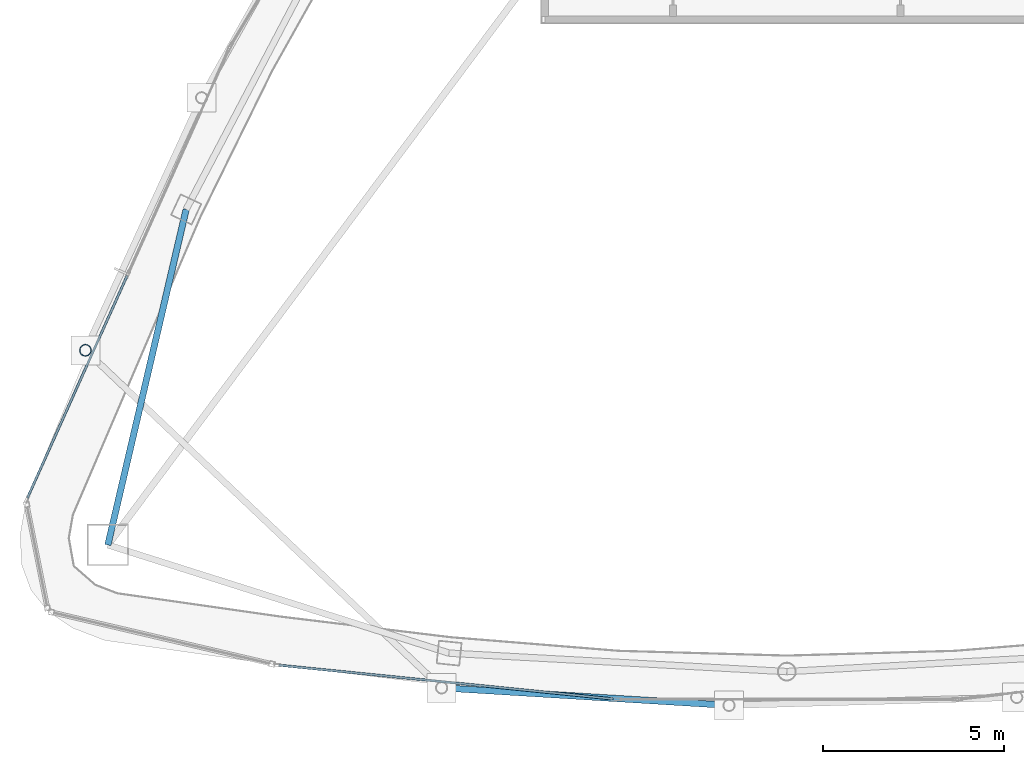
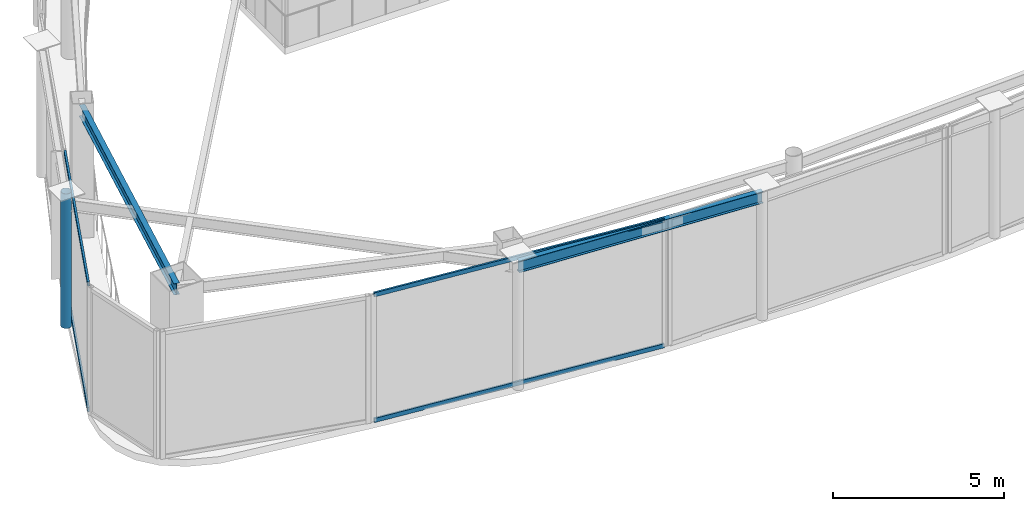
# One storey, part 3 of 19: 5 members, 2 beams, 2 elements without a shape of their own.
"""IFC4 building model written with IfcOpenShell, lengths in metres."""

from ifc_helpers import new_model, si_unit, direction, frame, origin, origin_2d, place, context, subcontext, project, spatial, hollow_rectangle, hollow_circle, i_section, extrude, material, layer, layer_set, material_profile, profile_set, type_object, element, aggregate, save


model = new_model("IFC4")

# Units and contexts
model_context = context("Model", 3, precision=1e-05, world=origin(), true_north=direction((0.0, 1.0)))
body_context = subcontext(model_context, "Body", "Model", "MODEL_VIEW")
ifc_project = project(units=[si_unit("LENGTHUNIT", "METRE"), si_unit("AREAUNIT", "SQUARE_METRE"), si_unit("VOLUMEUNIT", "CUBIC_METRE"), si_unit("PLANEANGLEUNIT", "RADIAN"), si_unit("MASSUNIT", "GRAM", prefix="KILO")], contexts=[model_context])

# Site, building, storey
site_placement = place(None, origin())
site = spatial("IfcSite", under=ifc_project, at=site_placement, CompositionType="ELEMENT")
building_placement = place(site_placement, origin())
building = spatial("IfcBuilding", under=site, at=building_placement, Name="Orvanel Arch Residences", CompositionType="ELEMENT")
storey_placement = place(building_placement, frame((0.0, 0.0, 290.89990234375)))
storey = spatial("IfcBuildingStorey", under=building, at=storey_placement, Name="L82", CompositionType="ELEMENT", Elevation=290.89990234375)

# Beams
ifc_material_1 = material(Name="Structural steel AS/NZS 3679.1 Grade 300 (300 MPa)", Category="steel")
ifc_material_profile_1 = material_profile(ifc_material_1, i_section(OverallWidth=0.177978515625, OverallDepth=0.406005859375, WebThickness=0.0078125, FlangeThickness=0.0126953125, at=origin_2d()), Name="410UB59.7")
ifc_profile_set_1 = profile_set([ifc_material_profile_1], Name="Structural steel AS/NZS 3679.1 Grade 300 (300 MPa)")
beam_type_1 = type_object("IfcBeamType", Name="OB-410UB", PredefinedType="SPANDREL", material=ifc_profile_set_1)
beam_1_placement = place(storey_placement, frame((16.366943359375, 19.64208984375, 4.34716796875), z_axis=(-0.227236087167, -0.973839699688, 0.0), x_axis=(0.973839699688, -0.227236087167, 0.0)))
element("IfcBeam", 1, at=beam_1_placement, inside=storey, type_object=beam_type_1, Name="L82 Perimeter Spandrel Beam 01", PredefinedType="SPANDREL", context=body_context, shape_type="SweptSolid", body=[
    extrude(i_section(OverallWidth=0.177978515625, OverallDepth=0.406005859375, WebThickness=0.0078125, FlangeThickness=0.0126953125, at=origin_2d()), origin(), (0.0, 0.0, 1.0), 9.54052734375),
])
ifc_material_profile_2 = material_profile(ifc_material_1, i_section(OverallWidth=0.177978515625, OverallDepth=0.406005859375, WebThickness=0.0078125, FlangeThickness=0.0126953125, at=origin_2d()), Name="410UB59.7")
ifc_profile_set_2 = profile_set([ifc_material_profile_2], Name="Structural steel AS/NZS 3679.1 Grade 300 (300 MPa)")
beam_type_2 = type_object("IfcBeamType", Name="OB-410UB-EXT", PredefinedType="SPANDREL", material=ifc_profile_set_2)
beam_2_placement = place(storey_placement, frame((23.44189453125, 6.39404296875, 4.34716796875), z_axis=(0.998146745254, -0.060852895889, 0.0), x_axis=(0.060852895889, 0.998146745254, 0.0)))
element("IfcBeam", 2, at=beam_2_placement, inside=storey, type_object=beam_type_2, Name="L82 Outer Perimeter Floor Ring Beam 05", PredefinedType="SPANDREL", context=body_context, shape_type="SweptSolid", body=[
    extrude(i_section(OverallWidth=0.177978515625, OverallDepth=0.406005859375, WebThickness=0.0078125, FlangeThickness=0.0126953125, at=origin_2d()), origin(), (0.0, 0.0, 1.0), 7.971923828125),
])

# Member
ifc_material_2 = material(Name="Structural steel AS/NZS 1163 C350L0 (Grade 350)", Category="steel")
ifc_material_profile_3 = material_profile(ifc_material_2, hollow_circle(Radius=0.162109375, WallThickness=0.0126953125, at=origin_2d()), Name="CHS324x12.7")
ifc_profile_set_3 = profile_set([ifc_material_profile_3], Name="Structural steel AS/NZS 1163 C350L0 (Grade 350)")
member_type_1 = type_object("IfcMemberType", Name="ST-324CHS-EXT", PredefinedType="STRUT", material=ifc_profile_set_3)
member_1_placement = place(storey_placement, frame((13.577880859375, 15.740966796875, 0.0), z_axis=(0.0, 0.0, 1.0), x_axis=(1.0, 0.0, 0.0)))
element("IfcMember", 3, at=member_1_placement, inside=storey, type_object=member_type_1, Name="L82 Outer Perimeter Frame Post 04", PredefinedType="STRUT", context=body_context, shape_type="SweptSolid", body=[
    extrude(hollow_circle(Radius=0.162109375, WallThickness=0.0126953125, at=origin_2d()), origin(), (0.0, 0.0, 1.0), 4.800048828125),
])

# Curtain wall, members
ifc_material_3 = material(Name="Bronze-anodised aluminium AA6063-T6", Category="aluminium")
ifc_layer = layer(ifc_material_3, 0.2099609375)
ifc_layer_set = layer_set([ifc_layer], Name="Bronze-anodised aluminium AA6063-T6")
curtain_wall_type = type_object("IfcCurtainWallType", Name="CW7-TOP-SYS", PredefinedType="NOTDEFINED", material=ifc_layer_set)
curtain_wall_1_placement = place(storey_placement, origin())
curtain_wall_1 = element("IfcCurtainWall", 4, at=curtain_wall_1_placement, inside=storey, type_object=curtain_wall_type, Name="L82 CW7-TOP-SYS Unitised Curtain Wall", PredefinedType="NOTDEFINED")
ifc_material_profile_4 = material_profile(ifc_material_3, hollow_rectangle(XDim=0.06494140625, YDim=0.14990234375, WallThickness=0.00390625, at=origin_2d()), Name="ALU150x65x4")
ifc_profile_set_4 = profile_set([ifc_material_profile_4], Name="Bronze-anodised aluminium AA6063-T6")
member_type_2 = type_object("IfcMemberType", Name="TRN-150x65", PredefinedType="USERDEFINED", material=ifc_profile_set_4)
member_2_placement = place(storey_placement, frame((14.734619140625, 17.811767578125, 0.03271484375), z_axis=(-0.409346580659, -0.912378965618, 0.0), x_axis=(0.912378965618, -0.409346580659, 0.0)))
member_2 = element("IfcMember", 5, at=member_2_placement, type_object=member_type_2, Name="CW-S7 transom 2.1", ObjectType="TRANSOM", PredefinedType="USERDEFINED", context=body_context, shape_type="SweptSolid", body=[
    extrude(hollow_rectangle(XDim=0.06494140625, YDim=0.14990234375, WallThickness=0.00390625, at=origin_2d()), origin(), (0.0, 0.0, 1.0), 6.751953125),
])
member_3_placement = place(storey_placement, frame((14.734619140625, 17.811767578125, 4.517578125), z_axis=(-0.409346580659, -0.912378965618, 0.0), x_axis=(0.912378965618, -0.409346580659, 0.0)))
member_3 = element("IfcMember", 6, at=member_3_placement, type_object=member_type_2, Name="CW-S7 transom 2.2", ObjectType="TRANSOM", PredefinedType="USERDEFINED", context=body_context, shape_type="SweptSolid", body=[
    extrude(hollow_rectangle(XDim=0.06494140625, YDim=0.14990234375, WallThickness=0.00390625, at=origin_2d()), origin(), (0.0, 0.0, 1.0), 6.751953125),
])
aggregate(curtain_wall_1, [member_2, member_3])

curtain_wall_2_placement = place(storey_placement, origin())
curtain_wall_2 = element("IfcCurtainWall", 7, at=curtain_wall_2_placement, inside=storey, type_object=curtain_wall_type, Name="L82 CW7-TOP-SYS Unitised Curtain Wall", PredefinedType="NOTDEFINED")
member_4_placement = place(storey_placement, frame((18.9326171875, 7.0224609375, 0.03271484375), z_axis=(0.994933979893, -0.100530471276, 0.0), x_axis=(0.100530471276, 0.994933979893, 0.0)))
member_4 = element("IfcMember", 8, at=member_4_placement, type_object=member_type_2, Name="CW-S7 transom 1.1", ObjectType="TRANSOM", PredefinedType="USERDEFINED", context=body_context, shape_type="SweptSolid", body=[
    extrude(hollow_rectangle(XDim=0.06494140625, YDim=0.14990234375, WallThickness=0.00390625, at=origin_2d()), origin(), (0.0, 0.0, 1.0), 9.298828125),
])
member_5_placement = place(storey_placement, frame((18.9326171875, 7.0224609375, 4.517578125), z_axis=(0.994933979893, -0.100530471276, 0.0), x_axis=(0.100530471276, 0.994933979893, 0.0)))
member_5 = element("IfcMember", 9, at=member_5_placement, type_object=member_type_2, Name="CW-S7 transom 1.2", ObjectType="TRANSOM", PredefinedType="USERDEFINED", context=body_context, shape_type="SweptSolid", body=[
    extrude(hollow_rectangle(XDim=0.06494140625, YDim=0.14990234375, WallThickness=0.00390625, at=origin_2d()), origin(), (0.0, 0.0, 1.0), 9.298828125),
])
aggregate(curtain_wall_2, [member_4, member_5])

save(model, "model.ifc")
